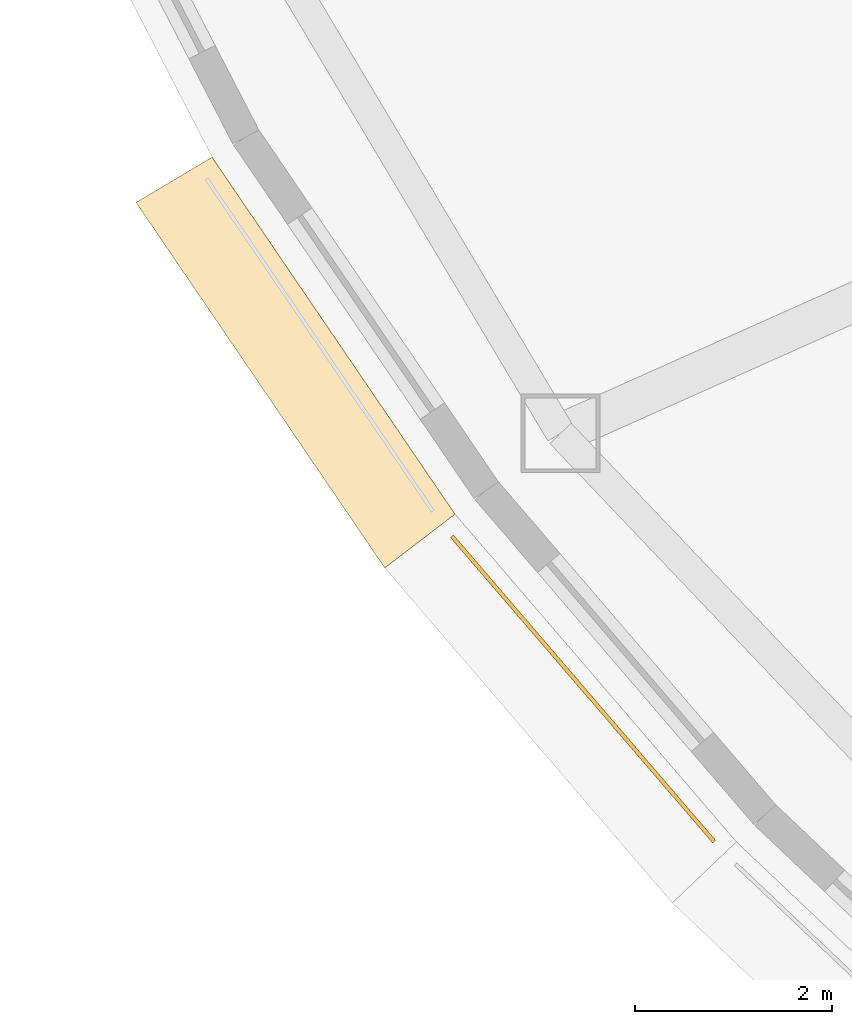
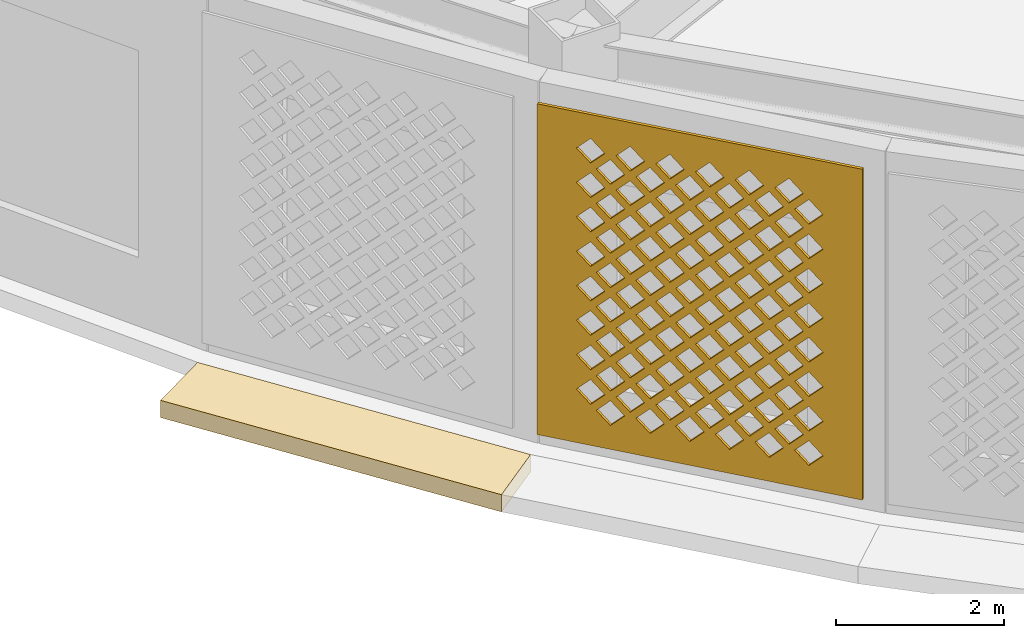
# One storey, part 36 of 69: 2 coverings.
"""IFC4 building model written with IfcOpenShell, lengths in metres."""

from ifc_helpers import new_model, si_unit, direction, frame, origin, place, context, subcontext, project, spatial, polyline, outline, extrude, material, layer, layer_set, type_object, element, save


model = new_model("IFC4")

# Units and contexts
model_context = context("Model", 3, precision=1e-05, world=origin(), true_north=direction((0.0, 1.0)))
body_context = subcontext(model_context, "Body", "Model", "MODEL_VIEW")
ifc_project = project(units=[si_unit("LENGTHUNIT", "METRE"), si_unit("AREAUNIT", "SQUARE_METRE"), si_unit("VOLUMEUNIT", "CUBIC_METRE"), si_unit("PLANEANGLEUNIT", "RADIAN"), si_unit("MASSUNIT", "GRAM", prefix="KILO")], contexts=[model_context])

# Site, building, storey
site_placement = place(None, origin())
site = spatial("IfcSite", under=ifc_project, at=site_placement, CompositionType="ELEMENT")
building_placement = place(site_placement, origin())
building = spatial("IfcBuilding", under=site, at=building_placement, Name="Noorbagh Ring Tower", CompositionType="ELEMENT")
storey_placement = place(building_placement, frame((0.0, 0.0, 19.5)))
storey = spatial("IfcBuildingStorey", under=building, at=storey_placement, Name="L03", CompositionType="ELEMENT", Elevation=19.5)

# Coverings
ifc_material_1 = material(Name="Red sandstone eave", Category="masonry")
covering_type_1 = type_object("IfcCoveringType", Name="STY-CHHAJJA", PredefinedType="USERDEFINED", material=ifc_material_1)
covering_1_placement = place(storey_placement, frame((0.0, 0.0, -0.25)))
element("IfcCovering", 1, at=covering_1_placement, inside=storey, type_object=covering_type_1, Name="Chhajja eave", ObjectType="CHHAJJA", PredefinedType="USERDEFINED", context=body_context, shape_type="SweptSolid", body=[
    extrude(outline(polyline([(-47.2431640625, -16.71337890625), (-44.77001953125, -20.346923828125), (-45.485595703125, -20.89501953125), (-48.017578125, -17.175048828125), (-47.2431640625, -16.71337890625)])), origin(), (0.0, 0.0, 1.0), 0.25),
])
ifc_material_2 = material(Name="Red sandstone jali", Category="masonry")
ifc_layer = layer(ifc_material_2, 0.0400390625)
ifc_layer_set = layer_set([ifc_layer], Name="Red sandstone jali")
covering_type_2 = type_object("IfcCoveringType", Name="STY-JALI", PredefinedType="USERDEFINED", material=ifc_layer_set)
covering_2_placement = place(storey_placement, frame((-44.81640625, -20.584716796875, 0.449951171875), z_axis=(-0.758717747284, -0.651419511495, 0.0), x_axis=(0.651419511495, -0.758717747284, 0.0)))
element("IfcCovering", 2, at=covering_2_placement, inside=storey, type_object=covering_type_2, Name="Jali screen", ObjectType="SCREEN", PredefinedType="USERDEFINED", context=body_context, shape_type="SweptSolid", body=[
    extrude(outline(polyline([(0.0, 0.0), (4.095703125, 0.0), (4.095703125, 4.800048828125), (0.0, 4.800048828125), (0.0, 0.0)]), holes=[polyline([(0.742919921875, 0.52490234375), (0.9228515625, 0.344970703125), (1.102783203125, 0.52490234375), (0.9228515625, 0.705078125), (0.742919921875, 0.52490234375)]), polyline([(1.242919921875, 0.52490234375), (1.4228515625, 0.344970703125), (1.602783203125, 0.52490234375), (1.4228515625, 0.705078125), (1.242919921875, 0.52490234375)]), polyline([(1.742919921875, 0.52490234375), (1.9228515625, 0.344970703125), (2.102783203125, 0.52490234375), (1.9228515625, 0.705078125), (1.742919921875, 0.52490234375)]), polyline([(2.242919921875, 0.52490234375), (2.4228515625, 0.344970703125), (2.602783203125, 0.52490234375), (2.4228515625, 0.705078125), (2.242919921875, 0.52490234375)]), polyline([(2.742919921875, 0.52490234375), (2.9228515625, 0.344970703125), (3.102783203125, 0.52490234375), (2.9228515625, 0.705078125), (2.742919921875, 0.52490234375)]), polyline([(3.242919921875, 0.52490234375), (3.4228515625, 0.344970703125), (3.602783203125, 0.52490234375), (3.4228515625, 0.705078125), (3.242919921875, 0.52490234375)]), polyline([(0.492919921875, 0.77490234375), (0.6728515625, 0.594970703125), (0.852783203125, 0.77490234375), (0.6728515625, 0.955078125), (0.492919921875, 0.77490234375)]), polyline([(0.992919921875, 0.77490234375), (1.1728515625, 0.594970703125), (1.352783203125, 0.77490234375), (1.1728515625, 0.955078125), (0.992919921875, 0.77490234375)]), polyline([(1.492919921875, 0.77490234375), (1.6728515625, 0.594970703125), (1.852783203125, 0.77490234375), (1.6728515625, 0.955078125), (1.492919921875, 0.77490234375)]), polyline([(1.992919921875, 0.77490234375), (2.1728515625, 0.594970703125), (2.352783203125, 0.77490234375), (2.1728515625, 0.955078125), (1.992919921875, 0.77490234375)]), polyline([(2.492919921875, 0.77490234375), (2.6728515625, 0.594970703125), (2.852783203125, 0.77490234375), (2.6728515625, 0.955078125), (2.492919921875, 0.77490234375)]), polyline([(2.992919921875, 0.77490234375), (3.1728515625, 0.594970703125), (3.352783203125, 0.77490234375), (3.1728515625, 0.955078125), (2.992919921875, 0.77490234375)]), polyline([(0.742919921875, 1.02490234375), (0.9228515625, 0.844970703125), (1.102783203125, 1.02490234375), (0.9228515625, 1.205078125), (0.742919921875, 1.02490234375)]), polyline([(1.242919921875, 1.02490234375), (1.4228515625, 0.844970703125), (1.602783203125, 1.02490234375), (1.4228515625, 1.205078125), (1.242919921875, 1.02490234375)]), polyline([(1.742919921875, 1.02490234375), (1.9228515625, 0.844970703125), (2.102783203125, 1.02490234375), (1.9228515625, 1.205078125), (1.742919921875, 1.02490234375)]), polyline([(2.242919921875, 1.02490234375), (2.4228515625, 0.844970703125), (2.602783203125, 1.02490234375), (2.4228515625, 1.205078125), (2.242919921875, 1.02490234375)]), polyline([(2.742919921875, 1.02490234375), (2.9228515625, 0.844970703125), (3.102783203125, 1.02490234375), (2.9228515625, 1.205078125), (2.742919921875, 1.02490234375)]), polyline([(3.242919921875, 1.02490234375), (3.4228515625, 0.844970703125), (3.602783203125, 1.02490234375), (3.4228515625, 1.205078125), (3.242919921875, 1.02490234375)]), polyline([(0.492919921875, 1.27490234375), (0.6728515625, 1.094970703125), (0.852783203125, 1.27490234375), (0.6728515625, 1.455078125), (0.492919921875, 1.27490234375)]), polyline([(0.992919921875, 1.27490234375), (1.1728515625, 1.094970703125), (1.352783203125, 1.27490234375), (1.1728515625, 1.455078125), (0.992919921875, 1.27490234375)]), polyline([(1.492919921875, 1.27490234375), (1.6728515625, 1.094970703125), (1.852783203125, 1.27490234375), (1.6728515625, 1.455078125), (1.492919921875, 1.27490234375)]), polyline([(1.992919921875, 1.27490234375), (2.1728515625, 1.094970703125), (2.352783203125, 1.27490234375), (2.1728515625, 1.455078125), (1.992919921875, 1.27490234375)]), polyline([(2.492919921875, 1.27490234375), (2.6728515625, 1.094970703125), (2.852783203125, 1.27490234375), (2.6728515625, 1.455078125), (2.492919921875, 1.27490234375)]), polyline([(2.992919921875, 1.27490234375), (3.1728515625, 1.094970703125), (3.352783203125, 1.27490234375), (3.1728515625, 1.455078125), (2.992919921875, 1.27490234375)]), polyline([(0.742919921875, 1.52490234375), (0.9228515625, 1.344970703125), (1.102783203125, 1.52490234375), (0.9228515625, 1.705078125), (0.742919921875, 1.52490234375)]), polyline([(1.242919921875, 1.52490234375), (1.4228515625, 1.344970703125), (1.602783203125, 1.52490234375), (1.4228515625, 1.705078125), (1.242919921875, 1.52490234375)]), polyline([(1.742919921875, 1.52490234375), (1.9228515625, 1.344970703125), (2.102783203125, 1.52490234375), (1.9228515625, 1.705078125), (1.742919921875, 1.52490234375)]), polyline([(2.242919921875, 1.52490234375), (2.4228515625, 1.344970703125), (2.602783203125, 1.52490234375), (2.4228515625, 1.705078125), (2.242919921875, 1.52490234375)]), polyline([(2.742919921875, 1.52490234375), (2.9228515625, 1.344970703125), (3.102783203125, 1.52490234375), (2.9228515625, 1.705078125), (2.742919921875, 1.52490234375)]), polyline([(3.242919921875, 1.52490234375), (3.4228515625, 1.344970703125), (3.602783203125, 1.52490234375), (3.4228515625, 1.705078125), (3.242919921875, 1.52490234375)]), polyline([(0.492919921875, 1.77490234375), (0.6728515625, 1.594970703125), (0.852783203125, 1.77490234375), (0.6728515625, 1.955078125), (0.492919921875, 1.77490234375)]), polyline([(0.992919921875, 1.77490234375), (1.1728515625, 1.594970703125), (1.352783203125, 1.77490234375), (1.1728515625, 1.955078125), (0.992919921875, 1.77490234375)]), polyline([(1.492919921875, 1.77490234375), (1.6728515625, 1.594970703125), (1.852783203125, 1.77490234375), (1.6728515625, 1.955078125), (1.492919921875, 1.77490234375)]), polyline([(1.992919921875, 1.77490234375), (2.1728515625, 1.594970703125), (2.352783203125, 1.77490234375), (2.1728515625, 1.955078125), (1.992919921875, 1.77490234375)]), polyline([(2.492919921875, 1.77490234375), (2.6728515625, 1.594970703125), (2.852783203125, 1.77490234375), (2.6728515625, 1.955078125), (2.492919921875, 1.77490234375)]), polyline([(2.992919921875, 1.77490234375), (3.1728515625, 1.594970703125), (3.352783203125, 1.77490234375), (3.1728515625, 1.955078125), (2.992919921875, 1.77490234375)]), polyline([(0.742919921875, 2.02490234375), (0.9228515625, 1.844970703125), (1.102783203125, 2.02490234375), (0.9228515625, 2.205078125), (0.742919921875, 2.02490234375)]), polyline([(1.242919921875, 2.02490234375), (1.4228515625, 1.844970703125), (1.602783203125, 2.02490234375), (1.4228515625, 2.205078125), (1.242919921875, 2.02490234375)]), polyline([(1.742919921875, 2.02490234375), (1.9228515625, 1.844970703125), (2.102783203125, 2.02490234375), (1.9228515625, 2.205078125), (1.742919921875, 2.02490234375)]), polyline([(2.242919921875, 2.02490234375), (2.4228515625, 1.844970703125), (2.602783203125, 2.02490234375), (2.4228515625, 2.205078125), (2.242919921875, 2.02490234375)]), polyline([(2.742919921875, 2.02490234375), (2.9228515625, 1.844970703125), (3.102783203125, 2.02490234375), (2.9228515625, 2.205078125), (2.742919921875, 2.02490234375)]), polyline([(3.242919921875, 2.02490234375), (3.4228515625, 1.844970703125), (3.602783203125, 2.02490234375), (3.4228515625, 2.205078125), (3.242919921875, 2.02490234375)]), polyline([(0.492919921875, 2.27490234375), (0.6728515625, 2.094970703125), (0.852783203125, 2.27490234375), (0.6728515625, 2.455078125), (0.492919921875, 2.27490234375)]), polyline([(0.992919921875, 2.27490234375), (1.1728515625, 2.094970703125), (1.352783203125, 2.27490234375), (1.1728515625, 2.455078125), (0.992919921875, 2.27490234375)]), polyline([(1.492919921875, 2.27490234375), (1.6728515625, 2.094970703125), (1.852783203125, 2.27490234375), (1.6728515625, 2.455078125), (1.492919921875, 2.27490234375)]), polyline([(1.992919921875, 2.27490234375), (2.1728515625, 2.094970703125), (2.352783203125, 2.27490234375), (2.1728515625, 2.455078125), (1.992919921875, 2.27490234375)]), polyline([(2.492919921875, 2.27490234375), (2.6728515625, 2.094970703125), (2.852783203125, 2.27490234375), (2.6728515625, 2.455078125), (2.492919921875, 2.27490234375)]), polyline([(2.992919921875, 2.27490234375), (3.1728515625, 2.094970703125), (3.352783203125, 2.27490234375), (3.1728515625, 2.455078125), (2.992919921875, 2.27490234375)]), polyline([(0.742919921875, 2.52490234375), (0.9228515625, 2.344970703125), (1.102783203125, 2.52490234375), (0.9228515625, 2.705078125), (0.742919921875, 2.52490234375)]), polyline([(1.242919921875, 2.52490234375), (1.4228515625, 2.344970703125), (1.602783203125, 2.52490234375), (1.4228515625, 2.705078125), (1.242919921875, 2.52490234375)]), polyline([(1.742919921875, 2.52490234375), (1.9228515625, 2.344970703125), (2.102783203125, 2.52490234375), (1.9228515625, 2.705078125), (1.742919921875, 2.52490234375)]), polyline([(2.242919921875, 2.52490234375), (2.4228515625, 2.344970703125), (2.602783203125, 2.52490234375), (2.4228515625, 2.705078125), (2.242919921875, 2.52490234375)]), polyline([(2.742919921875, 2.52490234375), (2.9228515625, 2.344970703125), (3.102783203125, 2.52490234375), (2.9228515625, 2.705078125), (2.742919921875, 2.52490234375)]), polyline([(3.242919921875, 2.52490234375), (3.4228515625, 2.344970703125), (3.602783203125, 2.52490234375), (3.4228515625, 2.705078125), (3.242919921875, 2.52490234375)]), polyline([(0.492919921875, 2.77490234375), (0.6728515625, 2.594970703125), (0.852783203125, 2.77490234375), (0.6728515625, 2.955078125), (0.492919921875, 2.77490234375)]), polyline([(0.992919921875, 2.77490234375), (1.1728515625, 2.594970703125), (1.352783203125, 2.77490234375), (1.1728515625, 2.955078125), (0.992919921875, 2.77490234375)]), polyline([(1.492919921875, 2.77490234375), (1.6728515625, 2.594970703125), (1.852783203125, 2.77490234375), (1.6728515625, 2.955078125), (1.492919921875, 2.77490234375)]), polyline([(1.992919921875, 2.77490234375), (2.1728515625, 2.594970703125), (2.352783203125, 2.77490234375), (2.1728515625, 2.955078125), (1.992919921875, 2.77490234375)]), polyline([(2.492919921875, 2.77490234375), (2.6728515625, 2.594970703125), (2.852783203125, 2.77490234375), (2.6728515625, 2.955078125), (2.492919921875, 2.77490234375)]), polyline([(2.992919921875, 2.77490234375), (3.1728515625, 2.594970703125), (3.352783203125, 2.77490234375), (3.1728515625, 2.955078125), (2.992919921875, 2.77490234375)]), polyline([(0.742919921875, 3.02490234375), (0.9228515625, 2.844970703125), (1.102783203125, 3.02490234375), (0.9228515625, 3.205078125), (0.742919921875, 3.02490234375)]), polyline([(1.242919921875, 3.02490234375), (1.4228515625, 2.844970703125), (1.602783203125, 3.02490234375), (1.4228515625, 3.205078125), (1.242919921875, 3.02490234375)]), polyline([(1.742919921875, 3.02490234375), (1.9228515625, 2.844970703125), (2.102783203125, 3.02490234375), (1.9228515625, 3.205078125), (1.742919921875, 3.02490234375)]), polyline([(2.242919921875, 3.02490234375), (2.4228515625, 2.844970703125), (2.602783203125, 3.02490234375), (2.4228515625, 3.205078125), (2.242919921875, 3.02490234375)]), polyline([(2.742919921875, 3.02490234375), (2.9228515625, 2.844970703125), (3.102783203125, 3.02490234375), (2.9228515625, 3.205078125), (2.742919921875, 3.02490234375)]), polyline([(3.242919921875, 3.02490234375), (3.4228515625, 2.844970703125), (3.602783203125, 3.02490234375), (3.4228515625, 3.205078125), (3.242919921875, 3.02490234375)]), polyline([(0.492919921875, 3.27490234375), (0.6728515625, 3.094970703125), (0.852783203125, 3.27490234375), (0.6728515625, 3.455078125), (0.492919921875, 3.27490234375)]), polyline([(0.992919921875, 3.27490234375), (1.1728515625, 3.094970703125), (1.352783203125, 3.27490234375), (1.1728515625, 3.455078125), (0.992919921875, 3.27490234375)]), polyline([(1.492919921875, 3.27490234375), (1.6728515625, 3.094970703125), (1.852783203125, 3.27490234375), (1.6728515625, 3.455078125), (1.492919921875, 3.27490234375)]), polyline([(1.992919921875, 3.27490234375), (2.1728515625, 3.094970703125), (2.352783203125, 3.27490234375), (2.1728515625, 3.455078125), (1.992919921875, 3.27490234375)]), polyline([(2.492919921875, 3.27490234375), (2.6728515625, 3.094970703125), (2.852783203125, 3.27490234375), (2.6728515625, 3.455078125), (2.492919921875, 3.27490234375)]), polyline([(2.992919921875, 3.27490234375), (3.1728515625, 3.094970703125), (3.352783203125, 3.27490234375), (3.1728515625, 3.455078125), (2.992919921875, 3.27490234375)]), polyline([(0.742919921875, 3.52490234375), (0.9228515625, 3.344970703125), (1.102783203125, 3.52490234375), (0.9228515625, 3.705078125), (0.742919921875, 3.52490234375)]), polyline([(1.242919921875, 3.52490234375), (1.4228515625, 3.344970703125), (1.602783203125, 3.52490234375), (1.4228515625, 3.705078125), (1.242919921875, 3.52490234375)]), polyline([(1.742919921875, 3.52490234375), (1.9228515625, 3.344970703125), (2.102783203125, 3.52490234375), (1.9228515625, 3.705078125), (1.742919921875, 3.52490234375)]), polyline([(2.242919921875, 3.52490234375), (2.4228515625, 3.344970703125), (2.602783203125, 3.52490234375), (2.4228515625, 3.705078125), (2.242919921875, 3.52490234375)]), polyline([(2.742919921875, 3.52490234375), (2.9228515625, 3.344970703125), (3.102783203125, 3.52490234375), (2.9228515625, 3.705078125), (2.742919921875, 3.52490234375)]), polyline([(3.242919921875, 3.52490234375), (3.4228515625, 3.344970703125), (3.602783203125, 3.52490234375), (3.4228515625, 3.705078125), (3.242919921875, 3.52490234375)]), polyline([(0.492919921875, 3.77490234375), (0.6728515625, 3.594970703125), (0.852783203125, 3.77490234375), (0.6728515625, 3.955078125), (0.492919921875, 3.77490234375)]), polyline([(0.992919921875, 3.77490234375), (1.1728515625, 3.594970703125), (1.352783203125, 3.77490234375), (1.1728515625, 3.955078125), (0.992919921875, 3.77490234375)]), polyline([(1.492919921875, 3.77490234375), (1.6728515625, 3.594970703125), (1.852783203125, 3.77490234375), (1.6728515625, 3.955078125), (1.492919921875, 3.77490234375)]), polyline([(1.992919921875, 3.77490234375), (2.1728515625, 3.594970703125), (2.352783203125, 3.77490234375), (2.1728515625, 3.955078125), (1.992919921875, 3.77490234375)]), polyline([(2.492919921875, 3.77490234375), (2.6728515625, 3.594970703125), (2.852783203125, 3.77490234375), (2.6728515625, 3.955078125), (2.492919921875, 3.77490234375)]), polyline([(2.992919921875, 3.77490234375), (3.1728515625, 3.594970703125), (3.352783203125, 3.77490234375), (3.1728515625, 3.955078125), (2.992919921875, 3.77490234375)]), polyline([(0.742919921875, 4.02490234375), (0.9228515625, 3.844970703125), (1.102783203125, 4.02490234375), (0.9228515625, 4.205078125), (0.742919921875, 4.02490234375)]), polyline([(1.242919921875, 4.02490234375), (1.4228515625, 3.844970703125), (1.602783203125, 4.02490234375), (1.4228515625, 4.205078125), (1.242919921875, 4.02490234375)]), polyline([(1.742919921875, 4.02490234375), (1.9228515625, 3.844970703125), (2.102783203125, 4.02490234375), (1.9228515625, 4.205078125), (1.742919921875, 4.02490234375)]), polyline([(2.242919921875, 4.02490234375), (2.4228515625, 3.844970703125), (2.602783203125, 4.02490234375), (2.4228515625, 4.205078125), (2.242919921875, 4.02490234375)]), polyline([(2.742919921875, 4.02490234375), (2.9228515625, 3.844970703125), (3.102783203125, 4.02490234375), (2.9228515625, 4.205078125), (2.742919921875, 4.02490234375)]), polyline([(3.242919921875, 4.02490234375), (3.4228515625, 3.844970703125), (3.602783203125, 4.02490234375), (3.4228515625, 4.205078125), (3.242919921875, 4.02490234375)]), polyline([(0.492919921875, 4.27490234375), (0.6728515625, 4.094970703125), (0.852783203125, 4.27490234375), (0.6728515625, 4.455078125), (0.492919921875, 4.27490234375)]), polyline([(0.992919921875, 4.27490234375), (1.1728515625, 4.094970703125), (1.352783203125, 4.27490234375), (1.1728515625, 4.455078125), (0.992919921875, 4.27490234375)]), polyline([(1.492919921875, 4.27490234375), (1.6728515625, 4.094970703125), (1.852783203125, 4.27490234375), (1.6728515625, 4.455078125), (1.492919921875, 4.27490234375)]), polyline([(1.992919921875, 4.27490234375), (2.1728515625, 4.094970703125), (2.352783203125, 4.27490234375), (2.1728515625, 4.455078125), (1.992919921875, 4.27490234375)]), polyline([(2.492919921875, 4.27490234375), (2.6728515625, 4.094970703125), (2.852783203125, 4.27490234375), (2.6728515625, 4.455078125), (2.492919921875, 4.27490234375)]), polyline([(2.992919921875, 4.27490234375), (3.1728515625, 4.094970703125), (3.352783203125, 4.27490234375), (3.1728515625, 4.455078125), (2.992919921875, 4.27490234375)])]), origin(), (0.0, 0.0, -1.0), 0.0400390625),
])

save(model, "model.ifc")
